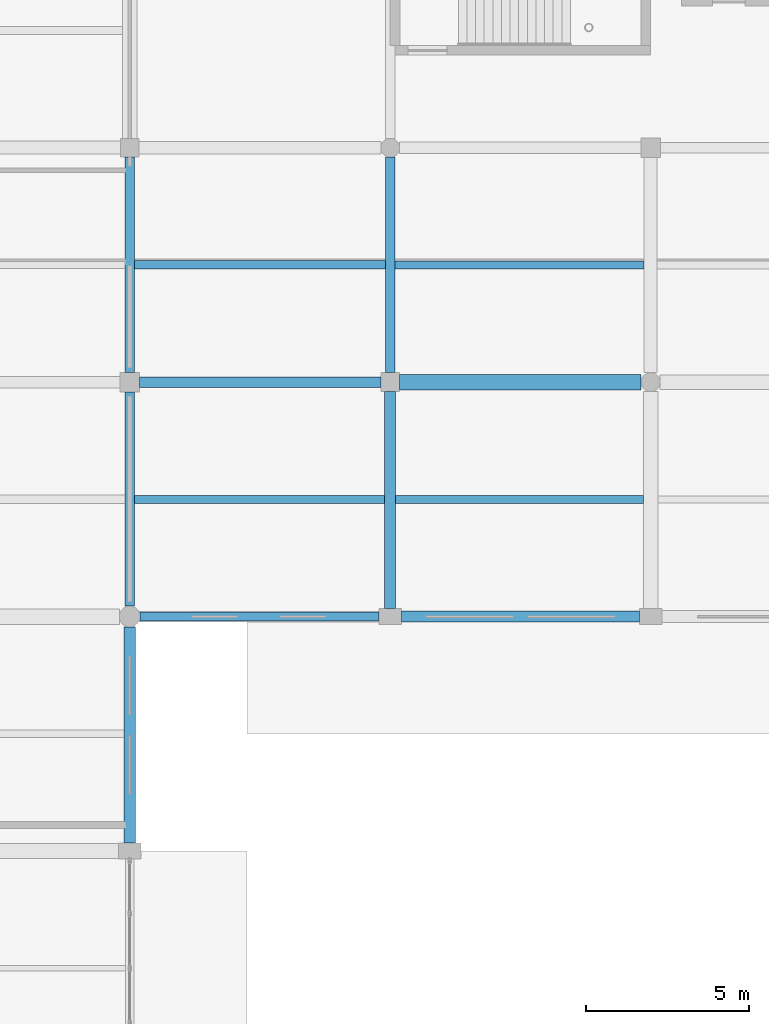
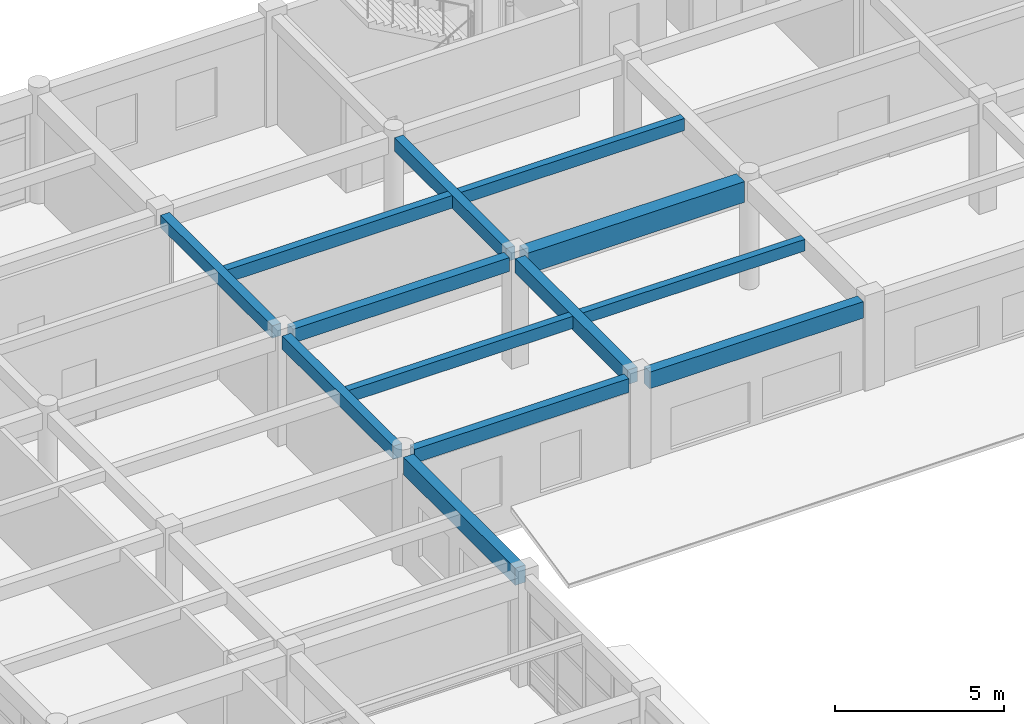
# One storey, part 57 of 121: 13 beams.
"""IFC4 building model written with IfcOpenShell, lengths in metres."""

from ifc_helpers import new_model, si_unit, direction, frame, origin, origin_2d, place, context, subcontext, project, spatial, rectangle, extrude, material, material_profile, profile_set, type_object, element, save


model = new_model("IFC4")

# Units and contexts
model_context = context("Model", 3, precision=1e-05, world=origin(), true_north=direction((0.0, 1.0)))
body_context = subcontext(model_context, "Body", "Model", "MODEL_VIEW")
ifc_project = project(units=[si_unit("LENGTHUNIT", "METRE"), si_unit("AREAUNIT", "SQUARE_METRE"), si_unit("VOLUMEUNIT", "CUBIC_METRE"), si_unit("PLANEANGLEUNIT", "RADIAN"), si_unit("MASSUNIT", "GRAM", prefix="KILO")], contexts=[model_context])

# Site, building, storey
site_placement = place(None, origin())
site = spatial("IfcSite", under=ifc_project, at=site_placement, CompositionType="ELEMENT")
building_placement = place(site_placement, origin())
building = spatial("IfcBuilding", under=site, at=building_placement, Name="Kharva Crest Polytechnic", CompositionType="ELEMENT")
storey_placement = place(building_placement, frame((0.0, 0.0, 13.199951171875)))
storey = spatial("IfcBuildingStorey", under=building, at=storey_placement, Name="L03", CompositionType="ELEMENT", Elevation=13.199951171875)

# Beams
ifc_material = material(Name="Concrete C35/45", Category="concrete")
ifc_material_profile_1 = material_profile(ifc_material, rectangle(XDim=0.300048828125, YDim=0.449951171875, at=origin_2d()), Name="RECT 300 X 450")
ifc_profile_set_1 = profile_set([ifc_material_profile_1], Name="Concrete C35/45")
beam_type_1 = type_object("IfcBeamType", Name="BM-RC-300X450", PredefinedType="BEAM", material=ifc_profile_set_1)
beam_1_placement = place(storey_placement, frame((48.0, 107.89990234375, 3.735107421875), z_axis=(0.0, 1.0, 0.0), x_axis=(-1.0, 0.0, 0.0)))
element("IfcBeam", 1, at=beam_1_placement, inside=storey, type_object=beam_type_1, Name="L03 Girder 7/Q-R", PredefinedType="BEAM", context=body_context, shape_type="SweptSolid", body=[
    extrude(rectangle(XDim=0.300048828125, YDim=0.449951171875, at=origin_2d()), origin(), (0.0, 0.0, 1.0), 6.610107421875),
])
ifc_material_profile_2 = material_profile(ifc_material, rectangle(XDim=0.300048828125, YDim=0.47998046875, at=origin_2d()), Name="RECT 300 X 480")
ifc_profile_set_2 = profile_set([ifc_material_profile_2], Name="Concrete C35/45")
beam_type_2 = type_object("IfcBeamType", Name="BM-RC-300X480", PredefinedType="BEAM", material=ifc_profile_set_2)
beam_2_placement = place(storey_placement, frame((48.0, 100.719970703125, 3.719970703125), z_axis=(0.0, 1.0, 0.0), x_axis=(-1.0, 0.0, 0.0)))
element("IfcBeam", 2, at=beam_2_placement, inside=storey, type_object=beam_type_2, Name="L03 Girder 7/P-Q", PredefinedType="BEAM", context=body_context, shape_type="SweptSolid", body=[
    extrude(rectangle(XDim=0.300048828125, YDim=0.47998046875, at=origin_2d()), origin(), (0.0, 0.0, 1.0), 6.580078125),
])
beam_3_placement = place(storey_placement, frame((56.0, 107.889892578125, 3.719970703125), z_axis=(0.0, 1.0, 0.0), x_axis=(-1.0, 0.0, 0.0)))
element("IfcBeam", 3, at=beam_3_placement, inside=storey, type_object=beam_type_2, Name="L03 Girder 8/Q-R", PredefinedType="BEAM", context=body_context, shape_type="SweptSolid", body=[
    extrude(rectangle(XDim=0.300048828125, YDim=0.47998046875, at=origin_2d()), origin(), (0.0, 0.0, 1.0), 6.6201171875),
])
ifc_material_profile_3 = material_profile(ifc_material, rectangle(XDim=0.320068359375, YDim=0.5, at=origin_2d()), Name="RECT 320 X 500")
ifc_profile_set_3 = profile_set([ifc_material_profile_3], Name="Concrete C35/45")
beam_type_3 = type_object("IfcBeamType", Name="BM-RC-320X500", PredefinedType="BEAM", material=ifc_profile_set_3)
beam_4_placement = place(storey_placement, frame((48.300048828125, 107.60009765625, 3.7099609375), z_axis=(1.0, 0.0, 0.0), x_axis=(0.0, 1.0, 0.0)))
element("IfcBeam", 4, at=beam_4_placement, inside=storey, type_object=beam_type_3, Name="L03 Beam Q/7-8", PredefinedType="BEAM", context=body_context, shape_type="SweptSolid", body=[
    extrude(rectangle(XDim=0.320068359375, YDim=0.5, at=origin_2d()), origin(), (0.0, 0.0, 1.0), 7.409912109375),
])
ifc_material_profile_4 = material_profile(ifc_material, rectangle(XDim=0.340087890625, YDim=0.52001953125, at=origin_2d()), Name="RECT 340 X 520")
ifc_profile_set_4 = profile_set([ifc_material_profile_4], Name="Concrete C35/45")
beam_type_4 = type_object("IfcBeamType", Name="BM-RC-340X520", PredefinedType="BEAM", material=ifc_profile_set_4)
beam_5_placement = place(storey_placement, frame((56.0, 100.64990234375, 3.699951171875), z_axis=(0.0, 1.0, 0.0), x_axis=(-1.0, 0.0, 0.0)))
element("IfcBeam", 5, at=beam_5_placement, inside=storey, type_object=beam_type_4, Name="L03 Girder 8/P-Q", PredefinedType="BEAM", context=body_context, shape_type="SweptSolid", body=[
    extrude(rectangle(XDim=0.340087890625, YDim=0.52001953125, at=origin_2d()), origin(), (0.0, 0.0, 1.0), 6.66015625),
])
ifc_material_profile_5 = material_profile(ifc_material, rectangle(XDim=0.47998046875, YDim=0.75, at=origin_2d()), Name="RECT 480 X 750")
ifc_profile_set_5 = profile_set([ifc_material_profile_5], Name="Concrete C35/45")
beam_type_5 = type_object("IfcBeamType", Name="BM-RC-480X750", PredefinedType="BEAM", material=ifc_profile_set_5)
beam_6_placement = place(storey_placement, frame((56.2900390625, 107.60009765625, 3.5849609375), z_axis=(1.0, 0.0, 0.0), x_axis=(0.0, 1.0, 0.0)))
element("IfcBeam", 6, at=beam_6_placement, inside=storey, type_object=beam_type_5, Name="L03 Beam Q/8-9", PredefinedType="BEAM", context=body_context, shape_type="SweptSolid", body=[
    extrude(rectangle(XDim=0.47998046875, YDim=0.75, at=origin_2d()), origin(), (0.0, 0.0, 1.0), 7.419921875),
])
ifc_material_profile_6 = material_profile(ifc_material, rectangle(XDim=0.239990234375, YDim=0.419921875, at=origin_2d()), Name="RECT 240 X 420")
ifc_profile_set_6 = profile_set([ifc_material_profile_6], Name="Concrete C35/45")
beam_type_6 = type_object("IfcBeamType", Name="JS-RC-240X420", PredefinedType="JOIST", material=ifc_profile_set_6)
beam_7_placement = place(storey_placement, frame((56.169921875, 104.0, 3.75), z_axis=(1.0, 0.0, 0.0), x_axis=(0.0, 1.0, 0.0)))
element("IfcBeam", 7, at=beam_7_placement, inside=storey, type_object=beam_type_6, Name="L03 Floor Joist 18", PredefinedType="JOIST", context=body_context, shape_type="SweptSolid", body=[
    extrude(rectangle(XDim=0.239990234375, YDim=0.419921875, at=origin_2d()), origin(), (0.0, 0.0, 1.0), 7.60498046875),
])
ifc_material_profile_7 = material_profile(ifc_material, rectangle(XDim=0.25, YDim=0.43994140625, at=origin_2d()), Name="RECT 250 X 440")
ifc_profile_set_7 = profile_set([ifc_material_profile_7], Name="Concrete C35/45")
beam_type_7 = type_object("IfcBeamType", Name="JS-RC-250X440", PredefinedType="JOIST", material=ifc_profile_set_7)
beam_8_placement = place(storey_placement, frame((48.14990234375, 104.0, 3.739990234375), z_axis=(1.0, 0.0, 0.0), x_axis=(0.0, 1.0, 0.0)))
element("IfcBeam", 8, at=beam_8_placement, inside=storey, type_object=beam_type_7, Name="L03 Floor Joist 17", PredefinedType="JOIST", context=body_context, shape_type="SweptSolid", body=[
    extrude(rectangle(XDim=0.25, YDim=0.43994140625, at=origin_2d()), origin(), (0.0, 0.0, 1.0), 7.68017578125),
])
beam_9_placement = place(storey_placement, frame((56.14990234375, 111.199951171875, 3.739990234375), z_axis=(1.0, 0.0, 0.0), x_axis=(0.0, 1.0, 0.0)))
element("IfcBeam", 9, at=beam_9_placement, inside=storey, type_object=beam_type_7, Name="L03 Floor Joist 37", PredefinedType="JOIST", context=body_context, shape_type="SweptSolid", body=[
    extrude(rectangle(XDim=0.25, YDim=0.43994140625, at=origin_2d()), origin(), (0.0, 0.0, 1.0), 7.650146484375),
])
ifc_material_profile_8 = material_profile(ifc_material, rectangle(XDim=0.260009765625, YDim=0.4599609375, at=origin_2d()), Name="RECT 260 X 460")
ifc_profile_set_8 = profile_set([ifc_material_profile_8], Name="Concrete C35/45")
beam_type_8 = type_object("IfcBeamType", Name="JS-RC-260X460", PredefinedType="JOIST", material=ifc_profile_set_8)
beam_10_placement = place(storey_placement, frame((48.14990234375, 111.199951171875, 3.72998046875), z_axis=(1.0, 0.0, 0.0), x_axis=(0.0, 1.0, 0.0)))
element("IfcBeam", 10, at=beam_10_placement, inside=storey, type_object=beam_type_8, Name="L03 Floor Joist 36", PredefinedType="JOIST", context=body_context, shape_type="SweptSolid", body=[
    extrude(rectangle(XDim=0.260009765625, YDim=0.4599609375, at=origin_2d()), origin(), (0.0, 0.0, 1.0), 7.7001953125),
])
ifc_material_profile_9 = material_profile(ifc_material, rectangle(XDim=0.280029296875, YDim=0.5, at=origin_2d()), Name="RECT 280 X 500")
ifc_profile_set_9 = profile_set([ifc_material_profile_9], Name="Concrete C35/45")
beam_type_9 = type_object("IfcBeamType", Name="SP-RC-280X500", PredefinedType="SPANDREL", material=ifc_profile_set_9)
beam_11_placement = place(storey_placement, frame((48.320068359375, 100.39990234375, 3.7099609375), z_axis=(1.0, 0.0, 0.0), x_axis=(0.0, 1.0, 0.0)))
element("IfcBeam", 11, at=beam_11_placement, inside=storey, type_object=beam_type_9, Name="L03 Beam P/7-8", PredefinedType="SPANDREL", context=body_context, shape_type="SweptSolid", body=[
    extrude(rectangle(XDim=0.280029296875, YDim=0.5, at=origin_2d()), origin(), (0.0, 0.0, 1.0), 7.329833984375),
])
ifc_material_profile_10 = material_profile(ifc_material, rectangle(XDim=0.340087890625, YDim=0.60009765625, at=origin_2d()), Name="RECT 340 X 600")
ifc_profile_set_10 = profile_set([ifc_material_profile_10], Name="Concrete C35/45")
beam_type_10 = type_object("IfcBeamType", Name="SP-RC-340X600", PredefinedType="SPANDREL", material=ifc_profile_set_10)
beam_12_placement = place(storey_placement, frame((56.35009765625, 100.39990234375, 3.66015625), z_axis=(1.0, 0.0, 0.0), x_axis=(0.0, 1.0, 0.0)))
element("IfcBeam", 12, at=beam_12_placement, inside=storey, type_object=beam_type_10, Name="L03 Beam P/8-9", PredefinedType="SPANDREL", context=body_context, shape_type="SweptSolid", body=[
    extrude(rectangle(XDim=0.340087890625, YDim=0.60009765625, at=origin_2d()), origin(), (0.0, 0.0, 1.0), 7.309814453125),
])
ifc_material_profile_11 = material_profile(ifc_material, rectangle(XDim=0.35009765625, YDim=0.6201171875, at=origin_2d()), Name="RECT 350 X 620")
ifc_profile_set_11 = profile_set([ifc_material_profile_11], Name="Concrete C35/45")
beam_type_11 = type_object("IfcBeamType", Name="SP-RC-350X620", PredefinedType="SPANDREL", material=ifc_profile_set_11)
beam_13_placement = place(storey_placement, frame((48.0, 93.449951171875, 3.650146484375), z_axis=(0.0, 1.0, 0.0), x_axis=(-1.0, 0.0, 0.0)))
element("IfcBeam", 13, at=beam_13_placement, inside=storey, type_object=beam_type_11, Name="L03 Girder 7/N-P", PredefinedType="SPANDREL", context=body_context, shape_type="SweptSolid", body=[
    extrude(rectangle(XDim=0.35009765625, YDim=0.6201171875, at=origin_2d()), origin(), (0.0, 0.0, 1.0), 6.630126953125),
])

save(model, "model.ifc")
